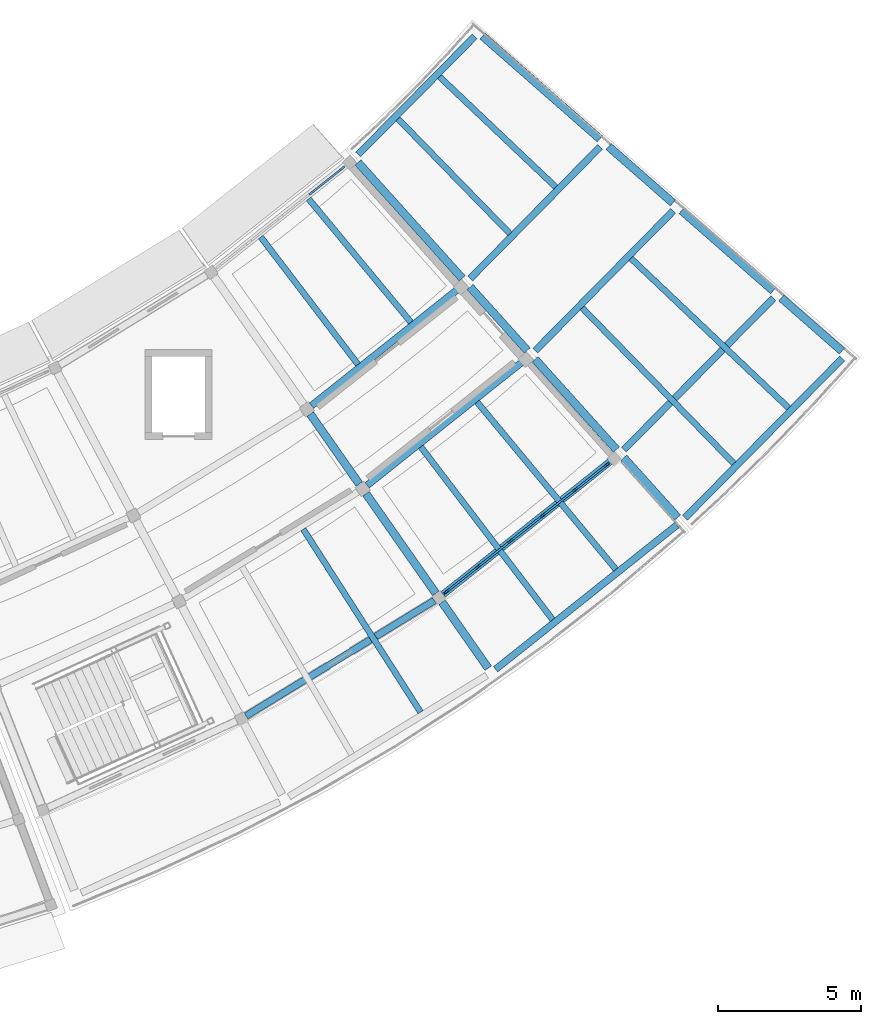
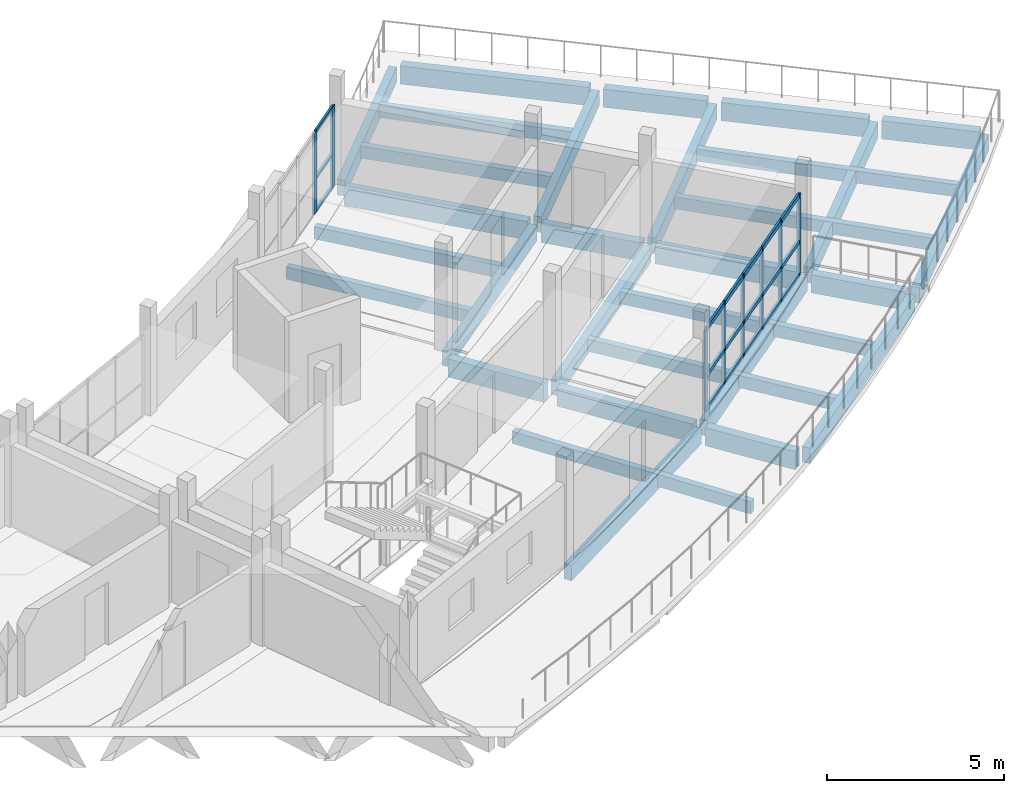
# One storey, part 19 of 36: 30 beams, 26 members, 2 elements without a shape of their own.
"""IFC4 building model written with IfcOpenShell, lengths in metres."""

import ifcopenshell
import ifcopenshell.guid

model = None  # the IFC model being written
_history = None  # IfcOwnerHistory: only IFC2X3 demands one
_inside = {}  # id of a spatial element -> (the spatial element, [elements in it])
_under = {}  # id of a project, library or spatial element -> (it, [spatial elements below it])
_declared = {}  # id of a project -> (the project, [libraries it declares])
_typed = {}  # id of a type object -> (the type object, [elements of that type])
_made_of = {}  # id of a material, layer set ... -> (it, [elements and type objects made of it])


def new_model(schema):
    """Start an empty IFC model of exactly this schema.

    Asked for "IFC4X3", IfcOpenShell would pick the latest addendum, in which some entities
    have other attributes; the version numbers below select the first issue.
    IFC2X3 requires an IfcOwnerHistory on every rooted entity: one is made here for all.
    """
    global model, _history
    if schema == "IFC4X3":
        model = ifcopenshell.file(schema_version=(4, 3, 0, 0))
    else:
        model = ifcopenshell.file(schema=schema)
    _inside.clear()
    _under.clear()
    _declared.clear()
    _typed.clear()
    _made_of.clear()
    _history = None
    if model.schema == "IFC2X3":
        org = make("IfcOrganization", Name="unknown")
        user = make(
            "IfcPersonAndOrganization",
            ThePerson=make("IfcPerson", FamilyName="unknown"),
            TheOrganization=org,
        )
        app = make(
            "IfcApplication",
            ApplicationDeveloper=org,
            Version="unknown",
            ApplicationFullName="unknown",
            ApplicationIdentifier="unknown",
        )
        _history = make(
            "IfcOwnerHistory",
            OwningUser=user,
            OwningApplication=app,
            ChangeAction="ADDED",
            CreationDate=0,
        )
    return model


def make(cls, **values):
    """One entity of the class cls with the attributes given. An attribute that is None is left unset."""
    return model.create_entity(
        cls, **{name: value for name, value in values.items() if value is not None}
    )


def rooted(cls, **values):
    """An entity with a GlobalId (a new one), such as an element, a storey or a relation."""
    return make(cls, GlobalId=ifcopenshell.guid.new(), OwnerHistory=_history, **values)


def si_unit(unit_type, name, prefix=None):
    """IfcSIUnit, for example si_unit("LENGTHUNIT", "METRE", prefix="MILLI")."""
    return make("IfcSIUnit", UnitType=unit_type, Prefix=prefix, Name=name)


def assignment(units):
    """IfcUnitAssignment: the units of a project."""
    return None if units is None else make("IfcUnitAssignment", Units=units)


def point(xyz):
    """IfcCartesianPoint."""
    return None if xyz is None else make("IfcCartesianPoint", Coordinates=xyz)


def direction(xyz):
    """IfcDirection."""
    return None if xyz is None else make("IfcDirection", DirectionRatios=xyz)


def frame(location, z_axis=None, x_axis=None):
    """IfcAxis2Placement3D, a coordinate frame: its origin and axes. An axis left out is left unset."""
    return make(
        "IfcAxis2Placement3D",
        Location=point(location),
        Axis=direction(z_axis),
        RefDirection=direction(x_axis),
    )


def frame_2d(location, x_axis=None):
    """IfcAxis2Placement2D, a coordinate frame in the plane: its origin and x axis."""
    return make(
        "IfcAxis2Placement2D", Location=point(location), RefDirection=direction(x_axis)
    )


def origin():
    """The frame at (0, 0, 0) with its axes left unset."""
    return frame((0.0, 0.0, 0.0))


def origin_2d():
    """The frame at (0, 0) in the plane with its x axis left unset."""
    return frame_2d((0.0, 0.0))


def place(relative_to, where):
    """IfcLocalPlacement: puts the frame where relative to a parent placement (None: the world)."""
    return make(
        "IfcLocalPlacement", PlacementRelTo=relative_to, RelativePlacement=where
    )


def context(
    kind, dimensions, precision=None, world=None, true_north=None, identifier=None
):
    """IfcGeometricRepresentationContext, for example the 3D "Model" context."""
    return make(
        "IfcGeometricRepresentationContext",
        ContextIdentifier=identifier,
        ContextType=kind,
        CoordinateSpaceDimension=dimensions,
        Precision=precision,
        WorldCoordinateSystem=world,
        TrueNorth=true_north,
    )


def subcontext(parent, identifier, kind, view, scale=None):
    """IfcGeometricRepresentationSubContext, for example "Body" below "Model"."""
    return make(
        "IfcGeometricRepresentationSubContext",
        ContextIdentifier=identifier,
        ContextType=kind,
        ParentContext=parent,
        TargetScale=scale,
        TargetView=view,
    )


def project(units=None, contexts=None):
    """IfcProject with its units and contexts."""
    return rooted(
        "IfcProject",
        Name="project",
        RepresentationContexts=contexts,
        UnitsInContext=assignment(units),
    )


def spatial(cls, under=None, at=None, **own):
    """A site, building, storey or space (cls), placed at a placement, below another one or the project."""
    s = rooted(cls, ObjectPlacement=at, **own)
    if under is not None:
        _under.setdefault(under.id(), (under, []))[1].append(s)
    return s


def profile(cls, at=None, kind="AREA", **sizes):
    """A parametric profile (cls). Its sizes go by their IFC names, for example OverallWidth=200.0."""
    return make(cls, ProfileType=kind, Position=at, **sizes)


def rectangle(**sizes):
    """IfcRectangleProfileDef."""
    return profile("IfcRectangleProfileDef", **sizes)


def extrude(swept, where, along, depth):
    """IfcExtrudedAreaSolid: the profile swept, set in the frame where, extruded along a direction by depth."""
    return make(
        "IfcExtrudedAreaSolid",
        SweptArea=swept,
        Position=where,
        ExtrudedDirection=direction(along),
        Depth=depth,
    )


def shape(context_of_items, identifier, shape_type, items):
    """IfcShapeRepresentation: the items that make up one representation, for example the "Body"."""
    return make(
        "IfcShapeRepresentation",
        ContextOfItems=context_of_items,
        RepresentationIdentifier=identifier,
        RepresentationType=shape_type,
        Items=items,
    )


def material(Name=None, Category=None):
    """IfcMaterial."""
    return make("IfcMaterial", Name=Name, Category=Category)


def layer(
    of_material, thickness, ventilated=None, Name=None, Category=None, Priority=None
):
    """IfcMaterialLayer: one layer of a wall or slab, of a material (None: an air gap)."""
    return make(
        "IfcMaterialLayer",
        Material=of_material,
        LayerThickness=thickness,
        IsVentilated=ventilated,
        Name=Name,
        Category=Category,
        Priority=Priority,
    )


def layer_set(layers, Name=None):
    """IfcMaterialLayerSet."""
    return make("IfcMaterialLayerSet", MaterialLayers=layers, LayerSetName=Name)


def material_profile(
    of_material, cross_section, Name=None, Category=None, Priority=None
):
    """IfcMaterialProfile: a cross section and its material."""
    return make(
        "IfcMaterialProfile",
        Name=Name,
        Material=of_material,
        Profile=cross_section,
        Priority=Priority,
        Category=Category,
    )


def profile_set(profiles, Name=None, composite=None):
    """IfcMaterialProfileSet."""
    return make(
        "IfcMaterialProfileSet",
        Name=Name,
        MaterialProfiles=profiles,
        CompositeProfile=composite,
    )


def made_of(thing, what):
    """Note that an element or type object is made of a material, layer set ...; save() writes the relation."""
    if what is not None:
        _made_of.setdefault(what.id(), (what, []))[1].append(thing)
    return thing


def type_object(cls, material=None, **own):
    """A type object (cls), such as IfcWallType, which elements share."""
    return made_of(rooted(cls, **own), material)


def element(
    cls,
    number,
    at=None,
    inside=None,
    cuts=None,
    type_object=None,
    material=None,
    context=None,
    identifier="Body",
    shape_type=None,
    held_by="IfcProductDefinitionShape",
    body=None,
    shapes=None,
    **own,
):
    """One element of the class cls, such as IfcWall. Its Tag is "e" and its number.

    at: its placement. inside: the storey or other place that contains it. cuts: it is an
    opening in that element (IfcRelVoidsElement). A single representation is given by context,
    identifier, shape_type and body (its items); several are given by shapes. held_by: the class
    of the entity that holds the representations. save() writes the other relations.
    """
    e = rooted(cls, Tag="e%d" % number, ObjectPlacement=at, **own)
    if body is not None:
        shapes = [shape(context, identifier, shape_type, body)]
    if shapes is not None:
        e.Representation = make(held_by, Representations=shapes)
    if inside is not None:
        _inside.setdefault(inside.id(), (inside, []))[1].append(e)
    if cuts is not None:
        rooted(
            "IfcRelVoidsElement", RelatingBuildingElement=cuts, RelatedOpeningElement=e
        )
    if type_object is not None:
        _typed.setdefault(type_object.id(), (type_object, []))[1].append(e)
    return made_of(e, material)


def aggregate(whole, parts):
    """IfcRelAggregates: a whole, such as a stair, and the parts it consists of."""
    return rooted("IfcRelAggregates", RelatingObject=whole, RelatedObjects=parts)


def save(model, path):
    """Write the relations noted so far, then the file.

    IfcRelAggregates (storeys below a building ...), IfcRelContainedInSpatialStructure (elements
    in a storey), IfcRelDefinesByType, IfcRelAssociatesMaterial and IfcRelDeclares: one each for
    every whole, place, type object, material and project.
    """
    for whole, parts in _under.values():
        aggregate(whole, parts)
    for where, things in _inside.values():
        rooted(
            "IfcRelContainedInSpatialStructure",
            RelatedElements=things,
            RelatingStructure=where,
        )
    for kind, things in _typed.values():
        rooted("IfcRelDefinesByType", RelatedObjects=things, RelatingType=kind)
    for what, things in _made_of.values():
        rooted("IfcRelAssociatesMaterial", RelatedObjects=things, RelatingMaterial=what)
    for by, libraries in _declared.values():
        rooted("IfcRelDeclares", RelatingContext=by, RelatedDefinitions=libraries)
    model.write(path)


model = new_model("IFC4")

# Units and contexts
model_context = context("Model", 3, precision=1e-05, world=origin(), true_north=direction((0.0, 1.0)))
body_context = subcontext(model_context, "Body", "Model", "MODEL_VIEW")
ifc_project = project(units=[si_unit("LENGTHUNIT", "METRE"), si_unit("AREAUNIT", "SQUARE_METRE"), si_unit("VOLUMEUNIT", "CUBIC_METRE"), si_unit("PLANEANGLEUNIT", "RADIAN"), si_unit("MASSUNIT", "GRAM", prefix="KILO")], contexts=[model_context])

# Site, building, storey
site_placement = place(None, origin())
site = spatial("IfcSite", under=ifc_project, at=site_placement, CompositionType="ELEMENT")
building_placement = place(site_placement, origin())
building = spatial("IfcBuilding", under=site, at=building_placement, Name="Caldaven Crescent School", CompositionType="ELEMENT")
storey_placement = place(building_placement, frame((0.0, 0.0, 11.89990234375)))
storey = spatial("IfcBuildingStorey", under=building, at=storey_placement, Name="L03", CompositionType="ELEMENT", Elevation=11.89990234375)

# Beams
ifc_material_1 = material(Name="Glulam MLE24h (GL28h)", Category="wood")
ifc_material_profile_1 = material_profile(ifc_material_1, rectangle(XDim=0.239990234375, YDim=0.5400390625, at=origin_2d()), Name="MLE 240x540")
ifc_profile_set_1 = profile_set([ifc_material_profile_1], Name="Glulam MLE24h (GL28h)")
beam_type_1 = type_object("IfcBeamType", Name="BM-GL54", PredefinedType="BEAM", material=ifc_profile_set_1)
beam_1_placement = place(storey_placement, frame((119.3115234375, 37.515625, -0.52001953125), z_axis=(0.852628517966, 0.522517569419, 0.0), x_axis=(-0.522517569419, 0.852628517966, 0.0)))
element("IfcBeam", 1, at=beam_1_placement, inside=storey, type_object=beam_type_1, Name="BMT-V4E-L03-1497", PredefinedType="BEAM", context=body_context, shape_type="SweptSolid", body=[
    extrude(rectangle(XDim=0.239990234375, YDim=0.5400390625, at=origin_2d()), origin(), (0.0, 0.0, 1.0), 7.72119140625),
])
beam_2_placement = place(storey_placement, frame((121.599853515625, 48.37109375, -0.52001953125), z_axis=(0.782609113445, 0.622513434034, 0.0), x_axis=(-0.622513434034, 0.782609113445, 0.0)))
element("IfcBeam", 2, at=beam_2_placement, inside=storey, type_object=beam_type_1, Name="BMT-V4E-L03-1502", PredefinedType="BEAM", context=body_context, shape_type="SweptSolid", body=[
    extrude(rectangle(XDim=0.239990234375, YDim=0.5400390625, at=origin_2d()), origin(), (0.0, 0.0, 1.0), 6.708251953125),
])
beam_3_placement = place(storey_placement, frame((123.550048828125, 45.5859375, -0.52001953125), z_axis=(0.782621166449, 0.622498280982, 0.0), x_axis=(-0.622498280982, 0.782621166449, 0.0)))
element("IfcBeam", 3, at=beam_3_placement, inside=storey, type_object=beam_type_1, Name="BMT-V4E-L03-1503", PredefinedType="BEAM", context=body_context, shape_type="SweptSolid", body=[
    extrude(rectangle(XDim=0.239990234375, YDim=0.5400390625, at=origin_2d()), origin(), (0.0, 0.0, 1.0), 7.12353515625),
])
beam_4_placement = place(storey_placement, frame((126.20556640625, 41.767578125, -0.52001953125), z_axis=(0.782608756687, 0.622513882541, 0.0), x_axis=(-0.622513882541, 0.782608756687, 0.0)))
element("IfcBeam", 4, at=beam_4_placement, inside=storey, type_object=beam_type_1, Name="BMT-V4E-L03-1504", PredefinedType="BEAM", context=body_context, shape_type="SweptSolid", body=[
    extrude(rectangle(XDim=0.239990234375, YDim=0.5400390625, at=origin_2d()), origin(), (0.0, 0.0, 1.0), 7.720947265625),
])
beam_5_placement = place(storey_placement, frame((127.154296875, 52.820556640625, -0.52001953125), z_axis=(0.702374088921, 0.71180800727, 0.0), x_axis=(-0.71180800727, 0.702374088921, 0.0)))
element("IfcBeam", 5, at=beam_5_placement, inside=storey, type_object=beam_type_1, Name="BMT-V4E-L03-1511", PredefinedType="BEAM", context=body_context, shape_type="SweptSolid", body=[
    extrude(rectangle(XDim=0.239990234375, YDim=0.5400390625, at=origin_2d()), origin(), (0.0, 0.0, 1.0), 6.4697265625),
])
beam_6_placement = place(storey_placement, frame((129.429443359375, 50.2939453125, -0.52001953125), z_axis=(0.702365205172, 0.711816773168, 0.0), x_axis=(-0.711816773168, 0.702365205172, 0.0)))
element("IfcBeam", 6, at=beam_6_placement, inside=storey, type_object=beam_type_1, Name="BMT-V4E-L03-1512", PredefinedType="BEAM", context=body_context, shape_type="SweptSolid", body=[
    extrude(rectangle(XDim=0.239990234375, YDim=0.5400390625, at=origin_2d()), origin(), (0.0, 0.0, 1.0), 6.870849609375),
])
beam_7_placement = place(storey_placement, frame((132.5302734375, 46.82763671875, -0.52001953125), z_axis=(0.702371849492, 0.711810217011, 0.0), x_axis=(-0.711810217011, 0.702371849492, 0.0)))
element("IfcBeam", 7, at=beam_7_placement, inside=storey, type_object=beam_type_1, Name="BMT-V4E-L03-1513", PredefinedType="BEAM", context=body_context, shape_type="SweptSolid", body=[
    extrude(rectangle(XDim=0.239990234375, YDim=0.5400390625, at=origin_2d()), origin(), (0.0, 0.0, 1.0), 7.44970703125),
])
ifc_material_profile_2 = material_profile(ifc_material_1, rectangle(XDim=0.280029296875, YDim=0.6298828125, at=origin_2d()), Name="MLE 280x630")
ifc_profile_set_2 = profile_set([ifc_material_profile_2], Name="Glulam MLE24h (GL28h)")
beam_type_2 = type_object("IfcBeamType", Name="BM-GL63", PredefinedType="BEAM", material=ifc_profile_set_2)
beam_8_placement = place(storey_placement, frame((121.55712890625, 48.075439453125, -0.56494140625), z_axis=(0.573550025111, -0.819170537004, 0.0), x_axis=(0.819170537004, 0.573550025111, 0.0)))
element("IfcBeam", 8, at=beam_8_placement, inside=storey, type_object=beam_type_2, Name="BMR-V4E-L03-1476", PredefinedType="BEAM", context=body_context, shape_type="SweptSolid", body=[
    extrude(rectangle(XDim=0.280029296875, YDim=0.6298828125, at=origin_2d()), origin(), (0.0, 0.0, 1.0), 2.989990234375),
])
beam_9_placement = place(storey_placement, frame((123.50732421875, 45.290283203125, -0.56494140625), z_axis=(0.573570167525, -0.819156433732, 0.0), x_axis=(0.819156433732, 0.573570167525, 0.0)))
element("IfcBeam", 9, at=beam_9_placement, inside=storey, type_object=beam_type_2, Name="BMR-V4E-L03-1477", PredefinedType="BEAM", context=body_context, shape_type="SweptSolid", body=[
    extrude(rectangle(XDim=0.280029296875, YDim=0.6298828125, at=origin_2d()), origin(), (0.0, 0.0, 1.0), 4.2548828125),
])
beam_10_placement = place(storey_placement, frame((126.165771484375, 41.49365234375, -0.56494140625), z_axis=(0.573555306454, -0.819166839196, 0.0), x_axis=(0.819166839196, 0.573555306454, 0.0)))
element("IfcBeam", 10, at=beam_10_placement, inside=storey, type_object=beam_type_2, Name="BMR-V4E-L03-1478", PredefinedType="BEAM", context=body_context, shape_type="SweptSolid", body=[
    extrude(rectangle(XDim=0.280029296875, YDim=0.6298828125, at=origin_2d()), origin(), (0.0, 0.0, 1.0), 2.820068359375),
])
beam_11_placement = place(storey_placement, frame((123.22314453125, 56.880859375, -0.56494140625), z_axis=(0.669100719019, -0.743171735071, 0.0), x_axis=(0.743171735071, 0.669100719019, 0.0)))
element("IfcBeam", 11, at=beam_11_placement, inside=storey, type_object=beam_type_2, Name="BMR-V4E-L03-1479", PredefinedType="BEAM", context=body_context, shape_type="SweptSolid", body=[
    extrude(rectangle(XDim=0.280029296875, YDim=0.6298828125, at=origin_2d()), origin(), (0.0, 0.0, 1.0), 5.454833984375),
])
beam_12_placement = place(storey_placement, frame((127.1474609375, 52.522216796875, -0.56494140625), z_axis=(0.669149671668, -0.743127658554, 0.0), x_axis=(0.743127658554, 0.669149671668, 0.0)))
element("IfcBeam", 12, at=beam_12_placement, inside=storey, type_object=beam_type_2, Name="BMR-V4E-L03-1480", PredefinedType="BEAM", context=body_context, shape_type="SweptSolid", body=[
    extrude(rectangle(XDim=0.280029296875, YDim=0.6298828125, at=origin_2d()), origin(), (0.0, 0.0, 1.0), 2.989990234375),
])
beam_13_placement = place(storey_placement, frame((129.422607421875, 49.99560546875, -0.56494140625), z_axis=(0.669129554921, -0.743145772195, 0.0), x_axis=(0.743145772195, 0.669129554921, 0.0)))
element("IfcBeam", 13, at=beam_13_placement, inside=storey, type_object=beam_type_2, Name="BMR-V4E-L03-1481", PredefinedType="BEAM", context=body_context, shape_type="SweptSolid", body=[
    extrude(rectangle(XDim=0.280029296875, YDim=0.6298828125, at=origin_2d()), origin(), (0.0, 0.0, 1.0), 4.255126953125),
])
beam_14_placement = place(storey_placement, frame((132.52392578125, 46.551025390625, -0.56494140625), z_axis=(0.669170391326, -0.743109001003, 0.0), x_axis=(0.743109001003, 0.669170391326, 0.0)))
element("IfcBeam", 14, at=beam_14_placement, inside=storey, type_object=beam_type_2, Name="BMR-V4E-L03-1482", PredefinedType="BEAM", context=body_context, shape_type="SweptSolid", body=[
    extrude(rectangle(XDim=0.280029296875, YDim=0.6298828125, at=origin_2d()), origin(), (0.0, 0.0, 1.0), 2.81982421875),
])
beam_15_placement = place(storey_placement, frame((127.5859375, 61.302490234375, -0.56494140625), z_axis=(0.752013619297, -0.659147567994, 0.0), x_axis=(0.659147567994, 0.752013619297, 0.0)))
element("IfcBeam", 15, at=beam_15_placement, inside=storey, type_object=beam_type_2, Name="BMR-V4E-L03-1483", PredefinedType="BEAM", context=body_context, shape_type="SweptSolid", body=[
    extrude(rectangle(XDim=0.280029296875, YDim=0.6298828125, at=origin_2d()), origin(), (0.0, 0.0, 1.0), 5.455078125),
])
beam_16_placement = place(storey_placement, frame((131.99658203125, 57.4365234375, -0.56494140625), z_axis=(0.752040269784, -0.65911716153, 0.0), x_axis=(0.65911716153, 0.752040269784, 0.0)))
element("IfcBeam", 16, at=beam_16_placement, inside=storey, type_object=beam_type_2, Name="BMR-V4E-L03-1484", PredefinedType="BEAM", context=body_context, shape_type="SweptSolid", body=[
    extrude(rectangle(XDim=0.280029296875, YDim=0.6298828125, at=origin_2d()), origin(), (0.0, 0.0, 1.0), 2.989990234375),
])
beam_17_placement = place(storey_placement, frame((134.553466796875, 55.195556640625, -0.56494140625), z_axis=(0.752000592444, -0.659162429879, 0.0), x_axis=(0.659162429879, 0.752000592444, 0.0)))
element("IfcBeam", 17, at=beam_17_placement, inside=storey, type_object=beam_type_2, Name="BMR-V4E-L03-1485", PredefinedType="BEAM", context=body_context, shape_type="SweptSolid", body=[
    extrude(rectangle(XDim=0.280029296875, YDim=0.6298828125, at=origin_2d()), origin(), (0.0, 0.0, 1.0), 4.2548828125),
])
beam_18_placement = place(storey_placement, frame((138.0390625, 52.140380859375, -0.56494140625), z_axis=(0.751986459995, -0.65917855243, 0.0), x_axis=(0.65917855243, 0.751986459995, 0.0)))
element("IfcBeam", 18, at=beam_18_placement, inside=storey, type_object=beam_type_2, Name="BMR-V4E-L03-1486", PredefinedType="BEAM", context=body_context, shape_type="SweptSolid", body=[
    extrude(rectangle(XDim=0.280029296875, YDim=0.6298828125, at=origin_2d()), origin(), (0.0, 0.0, 1.0), 2.820068359375),
])

# Curtain wall, members
ifc_material_2 = material(Name="Anodised aluminium AA 6063-T6 and low-E double glazing", Category="aluminium")
ifc_layer_1 = layer(ifc_material_2, 0.169921875)
ifc_layer_set_1 = layer_set([ifc_layer_1], Name="Anodised aluminium AA 6063-T6 and low-E double glazing")
curtain_wall_type_1 = type_object("IfcCurtainWallType", Name="CW-SYS1", PredefinedType="NOTDEFINED", material=ifc_layer_set_1)
curtain_wall_1_placement = place(storey_placement, origin())
curtain_wall_1 = element("IfcCurtainWall", 19, at=curtain_wall_1_placement, inside=storey, type_object=curtain_wall_type_1, Name="CW-L03-166", PredefinedType="NOTDEFINED")
ifc_material_3 = material(Name="Anodised aluminium AA 6063-T6", Category="aluminium")
ifc_material_profile_3 = material_profile(ifc_material_3, rectangle(XDim=0.06494140625, YDim=0.179931640625, at=origin_2d()), Name="CWM 65x180")
ifc_profile_set_3 = profile_set([ifc_material_profile_3], Name="Anodised aluminium AA 6063-T6")
member_type_1 = type_object("IfcMemberType", Name="CWM-T2", PredefinedType="MULLION", material=ifc_profile_set_3)
member_1_placement = place(storey_placement, frame((126.3173828125, 41.855712890625, 0.0), z_axis=(0.0, 0.0, 1.0), x_axis=(-0.620909965875, 0.783881887963, 0.0)))
member_1 = element("IfcMember", 20, at=member_1_placement, type_object=member_type_1, Name="CW1 mullion 1", PredefinedType="MULLION", context=body_context, shape_type="SweptSolid", body=[
    extrude(rectangle(XDim=0.06494140625, YDim=0.179931640625, at=origin_2d()), origin(), (0.0, 0.0, 1.0), 2.800048828125),
])
member_2_placement = place(storey_placement, frame((127.42529296875, 42.7333984375, 0.0), z_axis=(0.0, 0.0, 1.0), x_axis=(-0.620909965875, 0.783881887963, 0.0)))
member_2 = element("IfcMember", 21, at=member_2_placement, type_object=member_type_1, Name="CW1 mullion 2", PredefinedType="MULLION", context=body_context, shape_type="SweptSolid", body=[
    extrude(rectangle(XDim=0.06494140625, YDim=0.179931640625, at=origin_2d()), origin(), (0.0, 0.0, 1.0), 2.800048828125),
])
member_3_placement = place(storey_placement, frame((128.558837890625, 43.631103515625, 0.0), z_axis=(0.0, 0.0, 1.0), x_axis=(-0.620909965875, 0.783881887963, 0.0)))
member_3 = element("IfcMember", 22, at=member_3_placement, type_object=member_type_1, Name="CW1 mullion 3", PredefinedType="MULLION", context=body_context, shape_type="SweptSolid", body=[
    extrude(rectangle(XDim=0.06494140625, YDim=0.179931640625, at=origin_2d()), origin(), (0.0, 0.0, 1.0), 2.800048828125),
])
member_4_placement = place(storey_placement, frame((129.6923828125, 44.52880859375, 0.0), z_axis=(0.0, 0.0, 1.0), x_axis=(-0.620909965875, 0.783881887963, 0.0)))
member_4 = element("IfcMember", 23, at=member_4_placement, type_object=member_type_1, Name="CW1 mullion 4", PredefinedType="MULLION", context=body_context, shape_type="SweptSolid", body=[
    extrude(rectangle(XDim=0.06494140625, YDim=0.179931640625, at=origin_2d()), origin(), (0.0, 0.0, 1.0), 2.800048828125),
])
member_5_placement = place(storey_placement, frame((130.82568359375, 45.4267578125, 0.0), z_axis=(0.0, 0.0, 1.0), x_axis=(-0.620909965875, 0.783881887963, 0.0)))
member_5 = element("IfcMember", 24, at=member_5_placement, type_object=member_type_1, Name="CW1 mullion 5", PredefinedType="MULLION", context=body_context, shape_type="SweptSolid", body=[
    extrude(rectangle(XDim=0.06494140625, YDim=0.179931640625, at=origin_2d()), origin(), (0.0, 0.0, 1.0), 2.800048828125),
])
member_6_placement = place(storey_placement, frame((131.933837890625, 46.304443359375, 0.0), z_axis=(0.0, 0.0, 1.0), x_axis=(-0.620909965875, 0.783881887963, 0.0)))
member_6 = element("IfcMember", 25, at=member_6_placement, type_object=member_type_1, Name="CW1 mullion 6", PredefinedType="MULLION", context=body_context, shape_type="SweptSolid", body=[
    extrude(rectangle(XDim=0.06494140625, YDim=0.179931640625, at=origin_2d()), origin(), (0.0, 0.0, 1.0), 2.800048828125),
])

ifc_layer_2 = layer(ifc_material_2, 0.2099609375)
ifc_layer_set_2 = layer_set([ifc_layer_2], Name="Anodised aluminium AA 6063-T6 and low-E double glazing")
curtain_wall_type_2 = type_object("IfcCurtainWallType", Name="CW-SYS3", PredefinedType="NOTDEFINED", material=ifc_layer_set_2)
curtain_wall_2_placement = place(storey_placement, origin())
curtain_wall_2 = element("IfcCurtainWall", 26, at=curtain_wall_2_placement, inside=storey, type_object=curtain_wall_type_2, Name="CW-L03-165", PredefinedType="NOTDEFINED")
ifc_material_profile_4 = material_profile(ifc_material_3, rectangle(XDim=0.070068359375, YDim=0.2099609375, at=origin_2d()), Name="CWM 70x210")
ifc_profile_set_4 = profile_set([ifc_material_profile_4], Name="Anodised aluminium AA 6063-T6")
member_type_2 = type_object("IfcMemberType", Name="CWM-T3", PredefinedType="MULLION", material=ifc_profile_set_4)
member_7_placement = place(storey_placement, frame((121.605224609375, 55.82470703125, 0.0), z_axis=(0.0, 0.0, 1.0), x_axis=(-0.620909686639, 0.783882109145, 0.0)))
member_7 = element("IfcMember", 27, at=member_7_placement, type_object=member_type_2, Name="CW3 mullion 4", PredefinedType="MULLION", context=body_context, shape_type="SweptSolid", body=[
    extrude(rectangle(XDim=0.070068359375, YDim=0.2099609375, at=origin_2d()), origin(), (0.0, 0.0, 1.0), 2.800048828125),
])
member_8_placement = place(storey_placement, frame((122.67333984375, 56.670654296875, 0.0), z_axis=(0.0, 0.0, 1.0), x_axis=(-0.620909686639, 0.783882109145, 0.0)))
member_8 = element("IfcMember", 28, at=member_8_placement, type_object=member_type_2, Name="CW3 mullion 5", PredefinedType="MULLION", context=body_context, shape_type="SweptSolid", body=[
    extrude(rectangle(XDim=0.070068359375, YDim=0.2099609375, at=origin_2d()), origin(), (0.0, 0.0, 1.0), 2.800048828125),
])
ifc_material_profile_5 = material_profile(ifc_material_3, rectangle(XDim=0.06494140625, YDim=0.139892578125, at=origin_2d()), Name="CWT 65x140")
ifc_profile_set_5 = profile_set([ifc_material_profile_5], Name="Anodised aluminium AA 6063-T6")
member_type_3 = type_object("IfcMemberType", Name="CWT-T2", PredefinedType="USERDEFINED", material=ifc_profile_set_5)
member_9_placement = place(storey_placement, frame((121.6328125, 55.846435546875, 0.03271484375), z_axis=(0.783827419568, 0.620978724541, 0.0), x_axis=(-0.620978724541, 0.783827419568, 0.0)))
member_9 = element("IfcMember", 29, at=member_9_placement, type_object=member_type_3, Name="CW3 transom 4.1", ObjectType="TRANSOM", PredefinedType="USERDEFINED", context=body_context, shape_type="SweptSolid", body=[
    extrude(rectangle(XDim=0.06494140625, YDim=0.139892578125, at=origin_2d()), origin(), (0.0, 0.0, 1.0), 1.292236328125),
])
member_10_placement = place(storey_placement, frame((121.6328125, 55.846435546875, 1.176025390625), z_axis=(0.783827419568, 0.620978724541, 0.0), x_axis=(-0.620978724541, 0.783827419568, 0.0)))
member_10 = element("IfcMember", 30, at=member_10_placement, type_object=member_type_3, Name="CW3 transom 4.2", ObjectType="TRANSOM", PredefinedType="USERDEFINED", context=body_context, shape_type="SweptSolid", body=[
    extrude(rectangle(XDim=0.06494140625, YDim=0.139892578125, at=origin_2d()), origin(), (0.0, 0.0, 1.0), 1.292236328125),
])
member_11_placement = place(storey_placement, frame((121.6328125, 55.846435546875, 2.767578125), z_axis=(0.783827419568, 0.620978724541, 0.0), x_axis=(-0.620978724541, 0.783827419568, 0.0)))
member_11 = element("IfcMember", 31, at=member_11_placement, type_object=member_type_3, Name="CW3 transom 4.3", ObjectType="TRANSOM", PredefinedType="USERDEFINED", context=body_context, shape_type="SweptSolid", body=[
    extrude(rectangle(XDim=0.06494140625, YDim=0.139892578125, at=origin_2d()), origin(), (0.0, 0.0, 1.0), 1.292236328125),
])
aggregate(curtain_wall_2, [member_7, member_8, member_9, member_10, member_11])

# Member
ifc_material_profile_6 = material_profile(ifc_material_3, rectangle(XDim=0.070068359375, YDim=0.159912109375, at=origin_2d()), Name="CWT 70x160")
ifc_profile_set_6 = profile_set([ifc_material_profile_6], Name="Anodised aluminium AA 6063-T6")
member_type_4 = type_object("IfcMemberType", Name="CWT-T3", PredefinedType="USERDEFINED", material=ifc_profile_set_6)
member_12_placement = place(storey_placement, frame((126.343017578125, 41.8759765625, 0.03515625), z_axis=(0.783880566708, 0.62091163392, 0.0), x_axis=(-0.62091163392, 0.783880566708, 0.0)))
member_12 = element("IfcMember", 32, at=member_12_placement, type_object=member_type_4, Name="CW1 transom 1.1", ObjectType="TRANSOM", PredefinedType="USERDEFINED", context=body_context, shape_type="SweptSolid", body=[
    extrude(rectangle(XDim=0.070068359375, YDim=0.159912109375, at=origin_2d()), origin(), (0.0, 0.0, 1.0), 1.348388671875),
])

member_13_placement = place(storey_placement, frame((126.343017578125, 41.8759765625, 1.176025390625), z_axis=(0.783880566708, 0.62091163392, 0.0), x_axis=(-0.62091163392, 0.783880566708, 0.0)))
member_13 = element("IfcMember", 33, at=member_13_placement, type_object=member_type_4, Name="CW1 transom 1.2", ObjectType="TRANSOM", PredefinedType="USERDEFINED", context=body_context, shape_type="SweptSolid", body=[
    extrude(rectangle(XDim=0.070068359375, YDim=0.159912109375, at=origin_2d()), origin(), (0.0, 0.0, 1.0), 1.348388671875),
])

member_14_placement = place(storey_placement, frame((126.343017578125, 41.8759765625, 2.76513671875), z_axis=(0.783880566708, 0.62091163392, 0.0), x_axis=(-0.62091163392, 0.783880566708, 0.0)))
member_14 = element("IfcMember", 34, at=member_14_placement, type_object=member_type_4, Name="CW1 transom 1.3", ObjectType="TRANSOM", PredefinedType="USERDEFINED", context=body_context, shape_type="SweptSolid", body=[
    extrude(rectangle(XDim=0.070068359375, YDim=0.159912109375, at=origin_2d()), origin(), (0.0, 0.0, 1.0), 1.348388671875),
])

member_15_placement = place(storey_placement, frame((127.450927734375, 42.75341796875, 0.03515625), z_axis=(0.783895235837, 0.620893114177, 0.0), x_axis=(-0.620893114177, 0.783895235837, 0.0)))
member_15 = element("IfcMember", 35, at=member_15_placement, type_object=member_type_4, Name="CW1 transom 2.1", ObjectType="TRANSOM", PredefinedType="USERDEFINED", context=body_context, shape_type="SweptSolid", body=[
    extrude(rectangle(XDim=0.070068359375, YDim=0.159912109375, at=origin_2d()), origin(), (0.0, 0.0, 1.0), 1.380859375),
])

member_16_placement = place(storey_placement, frame((127.450927734375, 42.75341796875, 1.176025390625), z_axis=(0.783895235837, 0.620893114177, 0.0), x_axis=(-0.620893114177, 0.783895235837, 0.0)))
member_16 = element("IfcMember", 36, at=member_16_placement, type_object=member_type_4, Name="CW1 transom 2.2", ObjectType="TRANSOM", PredefinedType="USERDEFINED", context=body_context, shape_type="SweptSolid", body=[
    extrude(rectangle(XDim=0.070068359375, YDim=0.159912109375, at=origin_2d()), origin(), (0.0, 0.0, 1.0), 1.380859375),
])

member_17_placement = place(storey_placement, frame((127.450927734375, 42.75341796875, 2.76513671875), z_axis=(0.783895235837, 0.620893114177, 0.0), x_axis=(-0.620893114177, 0.783895235837, 0.0)))
member_17 = element("IfcMember", 37, at=member_17_placement, type_object=member_type_4, Name="CW1 transom 2.3", ObjectType="TRANSOM", PredefinedType="USERDEFINED", context=body_context, shape_type="SweptSolid", body=[
    extrude(rectangle(XDim=0.070068359375, YDim=0.159912109375, at=origin_2d()), origin(), (0.0, 0.0, 1.0), 1.380859375),
])

member_18_placement = place(storey_placement, frame((128.584228515625, 43.6513671875, 0.03515625), z_axis=(0.783895235837, 0.620893114177, 0.0), x_axis=(-0.620893114177, 0.783895235837, 0.0)))
member_18 = element("IfcMember", 38, at=member_18_placement, type_object=member_type_4, Name="CW1 transom 3.1", ObjectType="TRANSOM", PredefinedType="USERDEFINED", context=body_context, shape_type="SweptSolid", body=[
    extrude(rectangle(XDim=0.070068359375, YDim=0.159912109375, at=origin_2d()), origin(), (0.0, 0.0, 1.0), 1.380859375),
])

member_19_placement = place(storey_placement, frame((128.584228515625, 43.6513671875, 1.176025390625), z_axis=(0.783895235837, 0.620893114177, 0.0), x_axis=(-0.620893114177, 0.783895235837, 0.0)))
member_19 = element("IfcMember", 39, at=member_19_placement, type_object=member_type_4, Name="CW1 transom 3.2", ObjectType="TRANSOM", PredefinedType="USERDEFINED", context=body_context, shape_type="SweptSolid", body=[
    extrude(rectangle(XDim=0.070068359375, YDim=0.159912109375, at=origin_2d()), origin(), (0.0, 0.0, 1.0), 1.380859375),
])

member_20_placement = place(storey_placement, frame((128.584228515625, 43.6513671875, 2.76513671875), z_axis=(0.783895235837, 0.620893114177, 0.0), x_axis=(-0.620893114177, 0.783895235837, 0.0)))
member_20 = element("IfcMember", 40, at=member_20_placement, type_object=member_type_4, Name="CW1 transom 3.3", ObjectType="TRANSOM", PredefinedType="USERDEFINED", context=body_context, shape_type="SweptSolid", body=[
    extrude(rectangle(XDim=0.070068359375, YDim=0.159912109375, at=origin_2d()), origin(), (0.0, 0.0, 1.0), 1.380859375),
])

member_21_placement = place(storey_placement, frame((129.7177734375, 44.549072265625, 0.03515625), z_axis=(0.783895235837, 0.620893114177, 0.0), x_axis=(-0.620893114177, 0.783895235837, 0.0)))
member_21 = element("IfcMember", 41, at=member_21_placement, type_object=member_type_4, Name="CW1 transom 4.1", ObjectType="TRANSOM", PredefinedType="USERDEFINED", context=body_context, shape_type="SweptSolid", body=[
    extrude(rectangle(XDim=0.070068359375, YDim=0.159912109375, at=origin_2d()), origin(), (0.0, 0.0, 1.0), 1.380859375),
])

member_22_placement = place(storey_placement, frame((129.7177734375, 44.549072265625, 1.176025390625), z_axis=(0.783895235837, 0.620893114177, 0.0), x_axis=(-0.620893114177, 0.783895235837, 0.0)))
member_22 = element("IfcMember", 42, at=member_22_placement, type_object=member_type_4, Name="CW1 transom 4.2", ObjectType="TRANSOM", PredefinedType="USERDEFINED", context=body_context, shape_type="SweptSolid", body=[
    extrude(rectangle(XDim=0.070068359375, YDim=0.159912109375, at=origin_2d()), origin(), (0.0, 0.0, 1.0), 1.380859375),
])

member_23_placement = place(storey_placement, frame((129.7177734375, 44.549072265625, 2.76513671875), z_axis=(0.783895235837, 0.620893114177, 0.0), x_axis=(-0.620893114177, 0.783895235837, 0.0)))
member_23 = element("IfcMember", 43, at=member_23_placement, type_object=member_type_4, Name="CW1 transom 4.3", ObjectType="TRANSOM", PredefinedType="USERDEFINED", context=body_context, shape_type="SweptSolid", body=[
    extrude(rectangle(XDim=0.070068359375, YDim=0.159912109375, at=origin_2d()), origin(), (0.0, 0.0, 1.0), 1.380859375),
])

member_24_placement = place(storey_placement, frame((130.851318359375, 45.447021484375, 0.03515625), z_axis=(0.783880566708, 0.62091163392, 0.0), x_axis=(-0.62091163392, 0.783880566708, 0.0)))
member_24 = element("IfcMember", 44, at=member_24_placement, type_object=member_type_4, Name="CW1 transom 5.1", ObjectType="TRANSOM", PredefinedType="USERDEFINED", context=body_context, shape_type="SweptSolid", body=[
    extrude(rectangle(XDim=0.070068359375, YDim=0.159912109375, at=origin_2d()), origin(), (0.0, 0.0, 1.0), 1.348388671875),
])

member_25_placement = place(storey_placement, frame((130.851318359375, 45.447021484375, 1.176025390625), z_axis=(0.783880566708, 0.62091163392, 0.0), x_axis=(-0.62091163392, 0.783880566708, 0.0)))
member_25 = element("IfcMember", 45, at=member_25_placement, type_object=member_type_4, Name="CW1 transom 5.2", ObjectType="TRANSOM", PredefinedType="USERDEFINED", context=body_context, shape_type="SweptSolid", body=[
    extrude(rectangle(XDim=0.070068359375, YDim=0.159912109375, at=origin_2d()), origin(), (0.0, 0.0, 1.0), 1.348388671875),
])

member_26_placement = place(storey_placement, frame((130.851318359375, 45.447021484375, 2.76513671875), z_axis=(0.783880566708, 0.62091163392, 0.0), x_axis=(-0.62091163392, 0.783880566708, 0.0)))
member_26 = element("IfcMember", 46, at=member_26_placement, type_object=member_type_4, Name="CW1 transom 5.3", ObjectType="TRANSOM", PredefinedType="USERDEFINED", context=body_context, shape_type="SweptSolid", body=[
    extrude(rectangle(XDim=0.070068359375, YDim=0.159912109375, at=origin_2d()), origin(), (0.0, 0.0, 1.0), 1.348388671875),
])

aggregate(curtain_wall_1, [member_1, member_2, member_3, member_4, member_5, member_6, member_12, member_13, member_14, member_15, member_16, member_17, member_18, member_19, member_20, member_21, member_22, member_23, member_24, member_25, member_26])

# Beams
ifc_material_profile_7 = material_profile(ifc_material_1, rectangle(XDim=0.2099609375, YDim=0.419921875, at=origin_2d()), Name="MLE 210x420")
ifc_profile_set_7 = profile_set([ifc_material_profile_7], Name="Glulam MLE24h (GL28h)")
beam_type_3 = type_object("IfcBeamType", Name="JS-GL42", PredefinedType="JOIST", material=ifc_profile_set_7)
beam_19_placement = place(storey_placement, frame((121.310546875, 44.049560546875, -0.4599609375), z_axis=(0.539777509401, -0.841807721719, 0.0), x_axis=(0.841807721719, 0.539777509401, 0.0)))
element("IfcBeam", 47, at=beam_19_placement, inside=storey, type_object=beam_type_3, Name="JSR-V4E-L03-1500", PredefinedType="JOIST", context=body_context, shape_type="SweptSolid", body=[
    extrude(rectangle(XDim=0.2099609375, YDim=0.419921875, at=origin_2d()), origin(), (0.0, 0.0, 1.0), 7.607177734375),
])
beam_20_placement = place(storey_placement, frame((119.824462890625, 54.27294921875, -0.4599609375), z_axis=(0.606441715074, -0.795127943301, 0.0), x_axis=(0.795127943301, 0.606441715074, 0.0)))
element("IfcBeam", 48, at=beam_20_placement, inside=storey, type_object=beam_type_3, Name="JSR-V4E-L03-1506", PredefinedType="JOIST", context=body_context, shape_type="SweptSolid", body=[
    extrude(rectangle(XDim=0.2099609375, YDim=0.419921875, at=origin_2d()), origin(), (0.0, 0.0, 1.0), 5.6103515625),
])
beam_21_placement = place(storey_placement, frame((125.424560546875, 46.93017578125, -0.4599609375), z_axis=(0.606445392969, -0.795125138168, 0.0), x_axis=(0.795125138168, 0.606445392969, 0.0)))
element("IfcBeam", 49, at=beam_21_placement, inside=storey, type_object=beam_type_3, Name="JSR-V4E-L03-1507", PredefinedType="JOIST", context=body_context, shape_type="SweptSolid", body=[
    extrude(rectangle(XDim=0.2099609375, YDim=0.419921875, at=origin_2d()), origin(), (0.0, 0.0, 1.0), 7.607177734375),
])
beam_22_placement = place(storey_placement, frame((121.498779296875, 55.604736328125, -0.4599609375), z_axis=(0.638337756262, -0.769756395836, 0.0), x_axis=(0.769756395836, 0.638337756262, 0.0)))
element("IfcBeam", 50, at=beam_22_placement, inside=storey, type_object=beam_type_3, Name="JSR-V4E-L03-1508", PredefinedType="JOIST", context=body_context, shape_type="SweptSolid", body=[
    extrude(rectangle(XDim=0.2099609375, YDim=0.419921875, at=origin_2d()), origin(), (0.0, 0.0, 1.0), 5.6103515625),
])
beam_23_placement = place(storey_placement, frame((127.3935546875, 48.496337890625, -0.4599609375), z_axis=(0.638316852849, -0.769773729981, 0.0), x_axis=(0.769773729981, 0.638316852849, 0.0)))
element("IfcBeam", 51, at=beam_23_placement, inside=storey, type_object=beam_type_3, Name="JSR-V4E-L03-1509", PredefinedType="JOIST", context=body_context, shape_type="SweptSolid", body=[
    extrude(rectangle(XDim=0.2099609375, YDim=0.419921875, at=origin_2d()), origin(), (0.0, 0.0, 1.0), 7.607177734375),
])
beam_24_placement = place(storey_placement, frame((124.625244140625, 58.408203125, -0.4599609375), z_axis=(0.697844122665, -0.716249663499, 0.0), x_axis=(0.716249663499, 0.697844122665, 0.0)))
element("IfcBeam", 52, at=beam_24_placement, inside=storey, type_object=beam_type_3, Name="JSR-V4E-L03-1515", PredefinedType="JOIST", context=body_context, shape_type="SweptSolid", body=[
    extrude(rectangle(XDim=0.2099609375, YDim=0.419921875, at=origin_2d()), origin(), (0.0, 0.0, 1.0), 5.61083984375),
])
beam_25_placement = place(storey_placement, frame((131.0703125, 51.793212890625, -0.4599609375), z_axis=(0.697836867841, -0.716256731823, 0.0), x_axis=(0.716256731823, 0.697836867841, 0.0)))
element("IfcBeam", 53, at=beam_25_placement, inside=storey, type_object=beam_type_3, Name="JSR-V4E-L03-1516", PredefinedType="JOIST", context=body_context, shape_type="SweptSolid", body=[
    extrude(rectangle(XDim=0.2099609375, YDim=0.419921875, at=origin_2d()), origin(), (0.0, 0.0, 1.0), 7.60791015625),
])
beam_26_placement = place(storey_placement, frame((126.077392578125, 59.880126953125, -0.4599609375), z_axis=(0.725505476942, -0.688216392515, 0.0), x_axis=(0.688216392515, 0.725505476942, 0.0)))
element("IfcBeam", 54, at=beam_26_placement, inside=storey, type_object=beam_type_3, Name="JSR-V4E-L03-1517", PredefinedType="JOIST", context=body_context, shape_type="SweptSolid", body=[
    extrude(rectangle(XDim=0.2099609375, YDim=0.419921875, at=origin_2d()), origin(), (0.0, 0.0, 1.0), 5.611083984375),
])
beam_27_placement = place(storey_placement, frame((132.778076171875, 53.52392578125, -0.4599609375), z_axis=(0.725505603789, -0.688216258796, 0.0), x_axis=(0.688216258796, 0.725505603789, 0.0)))
element("IfcBeam", 55, at=beam_27_placement, inside=storey, type_object=beam_type_3, Name="JSR-V4E-L03-1518", PredefinedType="JOIST", context=body_context, shape_type="SweptSolid", body=[
    extrude(rectangle(XDim=0.2099609375, YDim=0.419921875, at=origin_2d()), origin(), (0.0, 0.0, 1.0), 7.60791015625),
])
ifc_material_profile_8 = material_profile(ifc_material_1, rectangle(XDim=0.239990234375, YDim=0.5400390625, at=origin_2d()), Name="MLE 240x540")
ifc_profile_set_8 = profile_set([ifc_material_profile_8], Name="Glulam MLE24h (GL28h)")
beam_type_4 = type_object("IfcBeamType", Name="SP-GL54", PredefinedType="SPANDREL", material=ifc_profile_set_8)
beam_28_placement = place(storey_placement, frame((128.041015625, 39.146240234375, -0.52001953125), z_axis=(0.782604053362, 0.622519795398, 0.0), x_axis=(-0.622519795398, 0.782604053362, 0.0)))
element("IfcBeam", 56, at=beam_28_placement, inside=storey, type_object=beam_type_4, Name="BMT-V4E-L03-1505", PredefinedType="SPANDREL", context=body_context, shape_type="SweptSolid", body=[
    extrude(rectangle(XDim=0.239990234375, YDim=0.5400390625, at=origin_2d()), origin(), (0.0, 0.0, 1.0), 8.11181640625),
])
beam_29_placement = place(storey_placement, frame((123.229248046875, 57.1572265625, -0.52001953125), z_axis=(0.702384460081, 0.711797773414, 0.0), x_axis=(-0.711797773414, 0.702384460081, 0.0)))
element("IfcBeam", 57, at=beam_29_placement, inside=storey, type_object=beam_type_4, Name="BMT-V4E-L03-1510", PredefinedType="SPANDREL", context=body_context, shape_type="SweptSolid", body=[
    extrude(rectangle(XDim=0.239990234375, YDim=0.5400390625, at=origin_2d()), origin(), (0.0, 0.0, 1.0), 5.8095703125),
])
beam_30_placement = place(storey_placement, frame((134.67138671875, 44.449462890625, -0.52001953125), z_axis=(0.702381314046, 0.71180087783, 0.0), x_axis=(-0.71180087783, 0.702381314046, 0.0)))
element("IfcBeam", 58, at=beam_30_placement, inside=storey, type_object=beam_type_4, Name="BMT-V4E-L03-1514", PredefinedType="SPANDREL", context=body_context, shape_type="SweptSolid", body=[
    extrude(rectangle(XDim=0.239990234375, YDim=0.5400390625, at=origin_2d()), origin(), (0.0, 0.0, 1.0), 7.827392578125),
])

save(model, "model.ifc")
